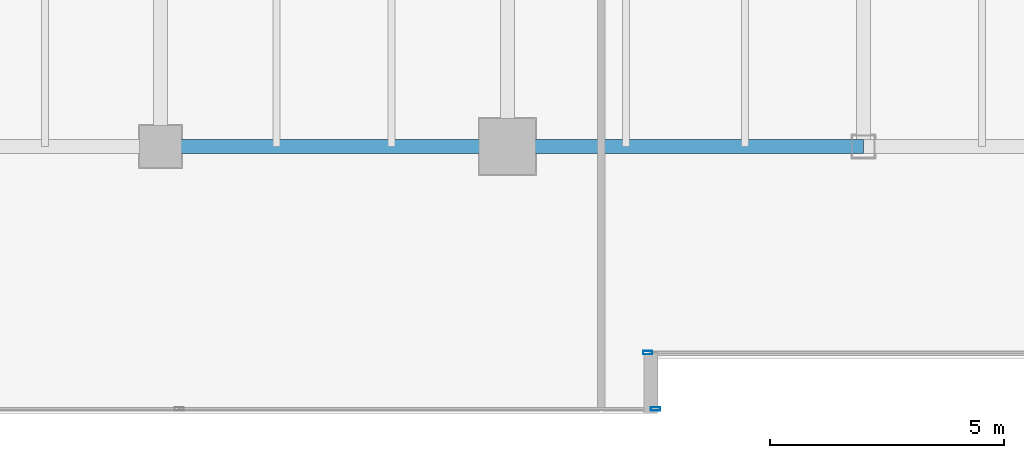
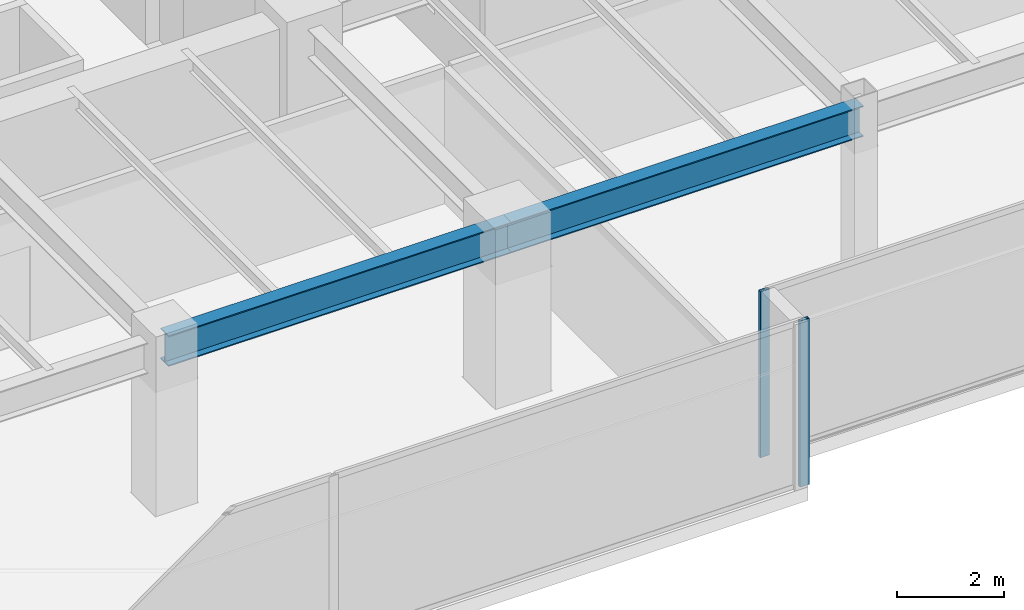
# One storey, part 4 of 33: 2 beams, 2 members, 2 elements without a shape of their own.
"""IFC4 building model written with IfcOpenShell, lengths in metres."""

from ifc_helpers import new_model, si_unit, direction, frame, origin, origin_2d, place, context, subcontext, project, spatial, hollow_rectangle, i_section, extrude, source, transform, mapped, material, layer, layer_set, material_profile, profile_set, type_object, type_shapes, element, aggregate, save


model = new_model("IFC4")

# Units and contexts
model_context = context("Model", 3, precision=1e-05, world=origin(), true_north=direction((0.0, 1.0)))
body_context = subcontext(model_context, "Body", "Model", "MODEL_VIEW")
ifc_project = project(units=[si_unit("LENGTHUNIT", "METRE"), si_unit("AREAUNIT", "SQUARE_METRE"), si_unit("VOLUMEUNIT", "CUBIC_METRE"), si_unit("PLANEANGLEUNIT", "RADIAN"), si_unit("MASSUNIT", "GRAM", prefix="KILO")], contexts=[model_context])

# Site, building, storey
site_placement = place(None, origin())
site = spatial("IfcSite", under=ifc_project, at=site_placement, CompositionType="ELEMENT")
building_placement = place(site_placement, origin())
building = spatial("IfcBuilding", under=site, at=building_placement, Name="Haelvirn Gate Laboratories", CompositionType="ELEMENT")
storey_placement = place(building_placement, frame((0.0, 0.0, 137.89990234375)))
storey = spatial("IfcBuildingStorey", under=building, at=storey_placement, Name="L33", CompositionType="ELEMENT", Elevation=137.89990234375)

# Beams
ifc_material_1 = material(Name="Steel SM355", Category="steel")
ifc_material_profile_1 = material_profile(ifc_material_1, i_section(OverallWidth=0.300048828125, OverallDepth=0.699951171875, WebThickness=0.012939453125, FlangeThickness=0.02392578125, at=origin_2d()), Name="H-700x300x13x24")
ifc_profile_set_1 = profile_set([ifc_material_profile_1], Name="Steel SM355")
beam_type = type_object("IfcBeamType", Name="BM-G-700", PredefinedType="BEAM", material=ifc_profile_set_1)
shared_shape_1 = source(origin(), body_context, "Body", "SweptSolid", [
    extrude(i_section(OverallWidth=0.300048828125, OverallDepth=0.699951171875, WebThickness=0.012939453125, FlangeThickness=0.02392578125, at=origin_2d()), origin(), (0.0, 0.0, 1.0), 7.39990234375),
])
beam_1_placement = place(storey_placement, frame((14.800048828125, 7.0, 3.440185546875), z_axis=(1.0, 0.0, 0.0), x_axis=(0.0, 1.0, 0.0)))
element("IfcBeam", 1, at=beam_1_placement, inside=storey, type_object=beam_type, Name="L33 Primary Girder Y7.0 (14.8-22.2)", PredefinedType="BEAM", context=body_context, shape_type="MappedRepresentation", body=[
    mapped(shared_shape_1, transform((0.0, 0.0, 0.0), scale=1.0)),
])
shared_shape_2 = source(origin(), body_context, "Body", "SweptSolid", [
    extrude(i_section(OverallWidth=0.300048828125, OverallDepth=0.699951171875, WebThickness=0.012939453125, FlangeThickness=0.02392578125, at=origin_2d()), origin(), (0.0, 0.0, 1.0), 7.60009765625),
])
type_shapes(beam_type, [shared_shape_1, shared_shape_2])
beam_2_placement = place(storey_placement, frame((22.199951171875, 7.0, 3.440185546875), z_axis=(1.0, 0.0, 0.0), x_axis=(0.0, 1.0, 0.0)))
element("IfcBeam", 2, at=beam_2_placement, inside=storey, type_object=beam_type, Name="L33 Primary Girder Y7.0 (22.2-29.8)", PredefinedType="BEAM", context=body_context, shape_type="MappedRepresentation", body=[
    mapped(shared_shape_2, transform((0.0, 0.0, 0.0), scale=1.0)),
])

# Curtain wall, member
ifc_material_2 = material(Name="Anodised bronze unitised aluminium & triple low-E glass", Category="aluminium")
ifc_layer = layer(ifc_material_2, 0.179931640625, Name="CW-SYS-3")
ifc_layer_set = layer_set([ifc_layer], Name="Anodised bronze unitised aluminium & triple low-E glass")
curtain_wall_type = type_object("IfcCurtainWallType", Name="CW-SYS-3", PredefinedType="NOTDEFINED", material=ifc_layer_set)
curtain_wall_1_placement = place(storey_placement, origin())
curtain_wall_1 = element("IfcCurtainWall", 3, at=curtain_wall_1_placement, inside=storey, type_object=curtain_wall_type, Name="L33 Unitised Curtain Wall CW-L33-P0-E00-1", PredefinedType="NOTDEFINED")
ifc_material_3 = material(Name="Extruded aluminium 6063-T6 (anodised bronze)", Category="aluminium")
ifc_material_profile_2 = material_profile(ifc_material_3, hollow_rectangle(XDim=0.074951171875, YDim=0.199951171875, WallThickness=0.0048828125, at=origin_2d()), Name="CWM-200x75x5")
ifc_profile_set_2 = profile_set([ifc_material_profile_2], Name="Extruded aluminium 6063-T6 (anodised bronze)")
member_type = type_object("IfcMemberType", Name="CWM-T200", PredefinedType="MULLION", material=ifc_profile_set_2)
shared_shape_3 = source(origin(), body_context, "Body", "SweptSolid", [
    extrude(hollow_rectangle(XDim=0.074951171875, YDim=0.199951171875, WallThickness=0.0048828125, at=origin_2d()), origin(), (0.0, 0.0, 1.0), 3.7900390625),
])
type_shapes(member_type, [shared_shape_3])
member_1_placement = place(storey_placement, frame((25.362548828125, 1.39990234375, 0.0), z_axis=(0.0, 0.0, 1.0), x_axis=(0.0, 1.0, 0.0)))
member_1 = element("IfcMember", 4, at=member_1_placement, type_object=member_type, Name="CW3 mullion 3", PredefinedType="MULLION", context=body_context, shape_type="MappedRepresentation", body=[
    mapped(shared_shape_3, transform((0.0, 0.0, 0.0), scale=1.0)),
])
aggregate(curtain_wall_1, [member_1])

curtain_wall_2_placement = place(storey_placement, origin())
curtain_wall_2 = element("IfcCurtainWall", 5, at=curtain_wall_2_placement, inside=storey, type_object=curtain_wall_type, Name="L33 Unitised Curtain Wall CW-L33-P0-E02-1", PredefinedType="NOTDEFINED")
member_2_placement = place(storey_placement, frame((25.197509765625, 2.60009765625, 0.0), z_axis=(0.0, 0.0, 1.0), x_axis=(0.0, 1.0, 0.0)))
member_2 = element("IfcMember", 6, at=member_2_placement, type_object=member_type, Name="CW3 mullion 1", PredefinedType="MULLION", context=body_context, shape_type="MappedRepresentation", body=[
    mapped(shared_shape_3, transform((0.0, 0.0, 0.0), scale=1.0)),
])
aggregate(curtain_wall_2, [member_2])

save(model, "model.ifc")
